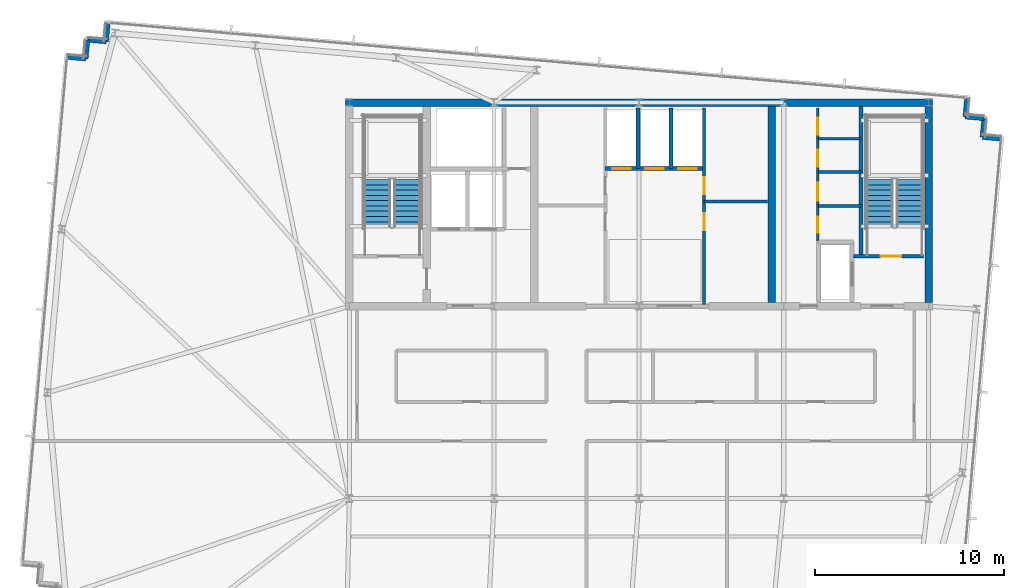
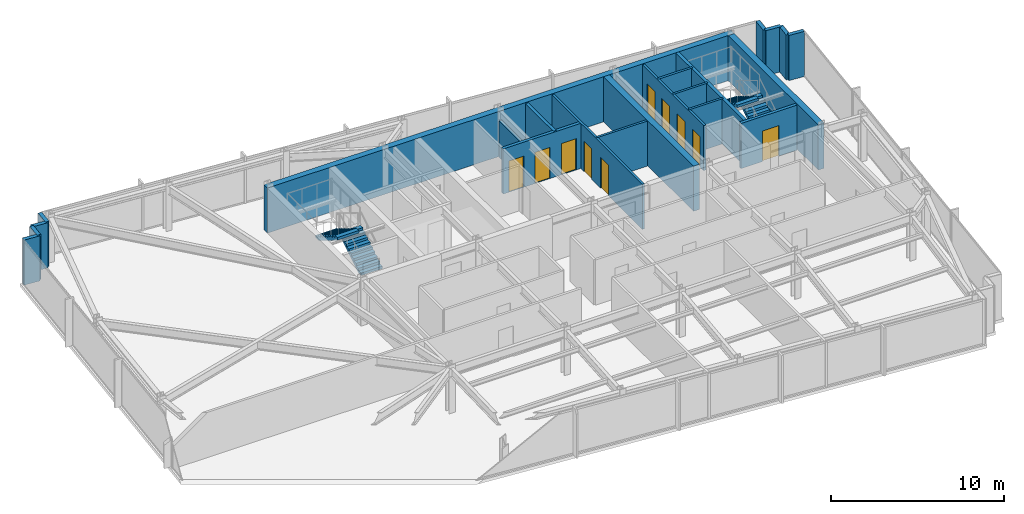
# One storey, part 28 of 32: 22 walls, 10 doors, 4 stair flights, 10 openings, 2 elements without a shape of their own.
"""IFC4 building model written with IfcOpenShell, lengths in metres."""

from ifc_helpers import new_model, si_unit, direction, frame, frame_2d, origin, place, context, subcontext, project, spatial, polyline, rectangle, outline, extrude, material, layer, layer_set, type_object, element, fill, aggregate, save


model = new_model("IFC4")

# Units and contexts
model_context = context("Model", 3, precision=1e-05, world=origin(), true_north=direction((0.0, 1.0)))
body_context = subcontext(model_context, "Body", "Model", "MODEL_VIEW")
ifc_project = project(units=[si_unit("LENGTHUNIT", "METRE"), si_unit("AREAUNIT", "SQUARE_METRE"), si_unit("VOLUMEUNIT", "CUBIC_METRE"), si_unit("PLANEANGLEUNIT", "RADIAN"), si_unit("MASSUNIT", "GRAM", prefix="KILO")], contexts=[model_context])

# Site, building, storey
site_placement = place(None, origin())
site = spatial("IfcSite", under=ifc_project, at=site_placement, CompositionType="ELEMENT")
building_placement = place(site_placement, origin())
building = spatial("IfcBuilding", under=site, at=building_placement, Name="Yelkora Congress Tower", CompositionType="ELEMENT")
storey_placement = place(building_placement, frame((0.0, 0.0, 265.89990234375)))
storey = spatial("IfcBuildingStorey", under=building, at=storey_placement, Name="L74", CompositionType="ELEMENT", Elevation=265.89990234375)

# Walls
ifc_material_1 = material(Name="Concrete C50/60", Category="concrete")
ifc_layer_1 = layer(ifc_material_1, 0.219970703125)
ifc_layer_set_1 = layer_set([ifc_layer_1], Name="Concrete C50/60")
wall_type_1 = type_object("IfcWallType", Name="WALL-CORE-INT-220", PredefinedType="SHEAR", material=ifc_layer_set_1)
wall_1_placement = place(storey_placement, frame((50.179931640625, 38.050048828125, 0.0), z_axis=(0.0, 0.0, 1.0), x_axis=(0.0, 1.0, 0.0)))
element("IfcWall", 1, at=wall_1_placement, inside=storey, type_object=wall_type_1, Name="L74 ST02 West Stair Shear Wall", PredefinedType="SHEAR", context=body_context, shape_type="SweptSolid", body=[
    extrude(rectangle(XDim=7.949951171875, YDim=0.219970703125, at=frame_2d((3.97509765625, 0.0))), origin(), (0.0, 0.0, 1.0), 3.18017578125),
])
ifc_layer_2 = layer(ifc_material_1, 0.39990234375)
ifc_layer_set_2 = layer_set([ifc_layer_2], Name="Concrete C50/60")
wall_type_2 = type_object("IfcWallType", Name="WALL-CORE-INT-400", PredefinedType="SHEAR", material=ifc_layer_set_2)
wall_2_placement = place(storey_placement, frame((22.840087890625, 46.199951171875, 0.0), z_axis=(0.0, 0.0, 1.0), x_axis=(1.0, 0.0, 0.0)))
element("IfcWall", 2, at=wall_2_placement, inside=storey, type_object=wall_type_2, Name="L74 Rear Core North Shear Wall", PredefinedType="SHEAR", context=body_context, shape_type="SweptSolid", body=[
    extrude(rectangle(XDim=31.119873046875, YDim=0.39990234375, at=frame_2d((15.56005859375, 0.0))), origin(), (0.0, 0.0, 1.0), 3.18017578125),
])
for number, where, z_axis, x_axis, name in (
    (3, (45.449951171875, 35.60009765625, 0.0), (0.0, 0.0, 1.0), (0.0, 1.0, 0.0), "L74 Rear Core Cross Shear Wall C3"),
    (4, (53.760009765625, 35.60009765625, 0.0), (0.0, 0.0, 1.0), (0.0, 1.0, 0.0), "L74 Rear Core Cross Shear Wall E"),
):
    element("IfcWall", number, at=place(storey_placement, frame(where, z_axis=z_axis, x_axis=x_axis)), inside=storey, type_object=wall_type_2, Name=name, PredefinedType="SHEAR", context=body_context, shape_type="SweptSolid", body=[
        extrude(rectangle(XDim=10.39990234375, YDim=0.39990234375, at=frame_2d((5.199951171875, 0.0))), origin(), (0.0, 0.0, 1.0), 3.18017578125),
    ])
ifc_material_2 = material(Name="Concrete C40/50", Category="concrete")
ifc_layer_3 = layer(ifc_material_2, 0.239990234375)
ifc_layer_set_3 = layer_set([ifc_layer_3], Name="Concrete C40/50")
wall_type_3 = type_object("IfcWallType", Name="WALL-EXT-LIMESTONE-240", PredefinedType="SOLIDWALL", material=ifc_layer_set_3)
for number, where, z_axis, x_axis, name in (
    (5, (8.0732421875, 48.609619140625, 0.0), (0.0, 0.0, 1.0), (0.996195572005, -0.087145753297, 0.0), "L74 Serrated Corner Limestone Pier 6"),
    (6, (9.069580078125, 48.5224609375, 0.0), (0.0, 0.0, 1.0), (0.087145753297, 0.996195572005, 0.0), "L74 Serrated Corner Limestone Pier 7"),
):
    element("IfcWall", number, at=place(storey_placement, frame(where, z_axis=z_axis, x_axis=x_axis)), inside=storey, type_object=wall_type_3, Name=name, PredefinedType="SOLIDWALL", context=body_context, shape_type="SweptSolid", body=[
        extrude(rectangle(XDim=1.000244140625, YDim=0.239990234375, at=frame_2d((0.5, 0.0))), origin(), (0.0, 0.0, 1.0), 3.18017578125),
    ])
for number, where, z_axis, x_axis, name in (
    (7, (9.15673828125, 49.518798828125, 0.0), (0.0, 0.0, 1.0), (0.996193717496, -0.087166950281, 0.0), "L74 Serrated Corner Limestone Pier 8"),
    (8, (10.15283203125, 49.431640625, 0.0), (0.0, 0.0, 1.0), (0.087166950281, 0.996193717496, 0.0), "L74 Serrated Corner Limestone Pier 9"),
    (9, (55.785888671875, 46.443115234375, 0.0), (0.0, 0.0, 1.0), (-0.086903493655, -0.996216734848, 0.0), "L74 Serrated Corner Limestone Pier 11"),
    (10, (55.698974609375, 45.44677734375, 0.0), (0.0, 0.0, 1.0), (0.996193717496, -0.087166950281, 0.0), "L74 Serrated Corner Limestone Pier 12"),
    (11, (56.695068359375, 45.359619140625, 0.0), (0.0, 0.0, 1.0), (-0.087166950281, -0.996193717496, 0.0), "L74 Serrated Corner Limestone Pier 13"),
    (12, (56.60791015625, 44.363525390625, 0.0), (0.0, 0.0, 1.0), (0.996193717496, -0.087166950281, 0.0), "L74 Serrated Corner Limestone Pier 14"),
):
    element("IfcWall", number, at=place(storey_placement, frame(where, z_axis=z_axis, x_axis=x_axis)), inside=storey, type_object=wall_type_3, Name=name, PredefinedType="SOLIDWALL", context=body_context, shape_type="SweptSolid", body=[
        extrude(rectangle(XDim=1.0, YDim=0.239990234375, at=frame_2d((0.5, 0.0))), origin(), (0.0, 0.0, 1.0), 3.18017578125),
    ])
ifc_material_3 = material(Name="Acoustic metal-stud gypsum partition", Category="gypsum")
ifc_layer_4 = layer(ifc_material_3, 0.14990234375)
ifc_layer_set_4 = layer_set([ifc_layer_4], Name="Acoustic metal-stud gypsum partition")
wall_type_4 = type_object("IfcWallType", Name="WALL-INT-150-NR", PredefinedType="PARTITIONING", material=ifc_layer_set_4)
for number, where, z_axis, x_axis, name in (
    (13, (47.8798828125, 40.719970703125, 0.0), (0.0, 0.0, 1.0), (1.0, 0.0, 0.0), "L74 Partition Wall 20"),
    (14, (47.8798828125, 42.52001953125, 0.0), (0.0, 0.0, 1.0), (1.0, 0.0, 0.0), "L74 Partition Wall 21"),
    (15, (47.8798828125, 44.280029296875, 0.0), (0.0, 0.0, 1.0), (1.0, 0.0, 0.0), "L74 Partition Wall 22"),
):
    element("IfcWall", number, at=place(storey_placement, frame(where, z_axis=z_axis, x_axis=x_axis)), inside=storey, type_object=wall_type_4, Name=name, PredefinedType="PARTITIONING", context=body_context, shape_type="SweptSolid", body=[
        extrude(rectangle(XDim=2.300048828125, YDim=0.14990234375, at=frame_2d((1.14990234375, 0.0))), origin(), (0.0, 0.0, 1.0), 3.18017578125),
    ])

# Wall, openings, doors
wall_3_placement = place(storey_placement, frame((47.8798828125, 38.85009765625, 0.0), z_axis=(0.0, 0.0, 1.0), x_axis=(0.0, 1.0, 0.0)))
wall_3 = element("IfcWall", 16, at=wall_3_placement, inside=storey, type_object=wall_type_4, Name="L74 Partition Wall 23", PredefinedType="PARTITIONING", context=body_context, shape_type="SweptSolid", body=[
    extrude(rectangle(XDim=7.06982421875, YDim=0.14990234375, at=frame_2d((3.534912109375, 0.0))), origin(), (0.0, 0.0, 1.0), 3.18017578125),
])
opening_1_placement = place(wall_3_placement, frame((0.449951171875, 0.0, 0.0)))
opening_1 = element("IfcOpeningElement", 17, at=opening_1_placement, cuts=wall_3, Name="Opening DR-085N", PredefinedType="OPENING", context=body_context, shape_type="SweptSolid", body=[
    extrude(rectangle(XDim=0.85009765625, YDim=2.14990234375, at=frame_2d((0.425048828125, 1.074951171875))), frame((0.0, 0.0849609375, 0.0), z_axis=(0.0, -1.0, 0.0), x_axis=(1.0, 0.0, 0.0)), (0.0, 0.0, 1.0), 0.169921875),
])
opening_2_placement = place(wall_3_placement, frame((2.14990234375, 0.0, 0.0)))
opening_2 = element("IfcOpeningElement", 18, at=opening_2_placement, cuts=wall_3, Name="Opening DR-095N", PredefinedType="OPENING", context=body_context, shape_type="SweptSolid", body=[
    extrude(rectangle(XDim=0.949951171875, YDim=2.14990234375, at=frame_2d((0.47509765625, 1.074951171875))), frame((0.0, 0.0849609375, 0.0), z_axis=(0.0, -1.0, 0.0), x_axis=(1.0, 0.0, 0.0)), (0.0, 0.0, 1.0), 0.169921875),
])
opening_3_placement = place(wall_3_placement, frame((3.949951171875, 0.0, 0.0)))
opening_3 = element("IfcOpeningElement", 19, at=opening_3_placement, cuts=wall_3, Name="Opening DR-090N", PredefinedType="OPENING", context=body_context, shape_type="SweptSolid", body=[
    extrude(rectangle(XDim=0.89990234375, YDim=2.14990234375, at=frame_2d((0.449951171875, 1.074951171875))), frame((0.0, 0.0849609375, 0.0), z_axis=(0.0, -1.0, 0.0), x_axis=(1.0, 0.0, 0.0)), (0.0, 0.0, 1.0), 0.169921875),
])
opening_4_placement = place(wall_3_placement, frame((5.64990234375, 0.0, 0.0)))
opening_4 = element("IfcOpeningElement", 20, at=opening_4_placement, cuts=wall_3, Name="Opening DR-090N", PredefinedType="OPENING", context=body_context, shape_type="SweptSolid", body=[
    extrude(rectangle(XDim=0.89990234375, YDim=2.14990234375, at=frame_2d((0.449951171875, 1.074951171875))), frame((0.0, 0.0849609375, 0.0), z_axis=(0.0, -1.0, 0.0), x_axis=(1.0, 0.0, 0.0)), (0.0, 0.0, 1.0), 0.169921875),
])
ifc_material_4 = material(Name="Laminate service store door leaf", Category="wood")
door_type_1 = type_object("IfcDoorType", Name="DOOR-INT-850", OperationType="NOTDEFINED", PredefinedType="DOOR", material=ifc_material_4)
door_1_placement = place(opening_1_placement, origin())
door_1 = element("IfcDoor", 21, at=door_1_placement, inside=storey, type_object=door_type_1, Name="L74 Janitor Room Door", OperationType="SINGLE_SWING_LEFT", OverallHeight=2.14990234375, OverallWidth=0.85009765625, PredefinedType="DOOR", context=body_context, shape_type="SweptSolid", body=[
    extrude(rectangle(XDim=0.85009765625, YDim=2.14990234375, at=frame_2d((0.425048828125, 1.074951171875))), frame((0.0, 0.02490234375, 0.0), z_axis=(0.0, -1.0, 0.0), x_axis=(1.0, 0.0, 0.0)), (0.0, 0.0, 1.0), 0.050048828125),
])
fill(opening_1, door_1)
ifc_material_5 = material(Name="Moisture-resistant laminate door leaf", Category="wood")
door_type_2 = type_object("IfcDoorType", Name="DOOR-INT-900", OperationType="NOTDEFINED", PredefinedType="DOOR", material=ifc_material_5)
door_2_placement = place(opening_3_placement, origin())
door_2 = element("IfcDoor", 22, at=door_2_placement, inside=storey, type_object=door_type_2, Name="L74 Male WC Door", OperationType="SINGLE_SWING_LEFT", OverallHeight=2.14990234375, OverallWidth=0.89990234375, PredefinedType="DOOR", context=body_context, shape_type="SweptSolid", body=[
    extrude(rectangle(XDim=0.89990234375, YDim=2.14990234375, at=frame_2d((0.449951171875, 1.074951171875))), frame((0.0, 0.02490234375, 0.0), z_axis=(0.0, -1.0, 0.0), x_axis=(1.0, 0.0, 0.0)), (0.0, 0.0, 1.0), 0.050048828125),
])
fill(opening_3, door_2)
door_3_placement = place(opening_4_placement, origin())
door_3 = element("IfcDoor", 23, at=door_3_placement, inside=storey, type_object=door_type_2, Name="L74 Female WC Door", OperationType="SINGLE_SWING_RIGHT", OverallHeight=2.14990234375, OverallWidth=0.89990234375, PredefinedType="DOOR", context=body_context, shape_type="SweptSolid", body=[
    extrude(rectangle(XDim=0.89990234375, YDim=2.14990234375, at=frame_2d((0.449951171875, 1.074951171875))), frame((0.0, 0.02490234375, 0.0), z_axis=(0.0, -1.0, 0.0), x_axis=(1.0, 0.0, 0.0)), (0.0, 0.0, 1.0), 0.050048828125),
])
fill(opening_4, door_3)
ifc_material_6 = material(Name="Acoustic laminated timber office door", Category="wood")
door_type_3 = type_object("IfcDoorType", Name="DOOR-INT-950", OperationType="NOTDEFINED", PredefinedType="DOOR", material=ifc_material_6)
door_4_placement = place(opening_2_placement, origin())
door_4 = element("IfcDoor", 24, at=door_4_placement, inside=storey, type_object=door_type_3, Name="L74 Accessible WC Door", OperationType="SINGLE_SWING_RIGHT", OverallHeight=2.14990234375, OverallWidth=0.949951171875, PredefinedType="DOOR", context=body_context, shape_type="SweptSolid", body=[
    extrude(rectangle(XDim=0.949951171875, YDim=2.14990234375, at=frame_2d((0.47509765625, 1.074951171875))), frame((0.0, 0.02490234375, 0.0), z_axis=(0.0, -1.0, 0.0), x_axis=(1.0, 0.0, 0.0)), (0.0, 0.0, 1.0), 0.050048828125),
])
fill(opening_2, door_4)

# Wall
ifc_material_7 = material(Name="Twin-stud fire-rated gypsum partition", Category="gypsum")
ifc_layer_5 = layer(ifc_material_7, 0.14990234375)
ifc_layer_set_5 = layer_set([ifc_layer_5], Name="Twin-stud fire-rated gypsum partition")
wall_type_5 = type_object("IfcWallType", Name="WALL-INT-150-R60", PredefinedType="PARTITIONING", material=ifc_layer_set_5)
wall_4_placement = place(storey_placement, frame((41.85009765625, 40.949951171875, 0.0), z_axis=(0.0, 0.0, 1.0), x_axis=(1.0, 0.0, 0.0)))
element("IfcWall", 25, at=wall_4_placement, inside=storey, type_object=wall_type_5, Name="L74 Partition Wall 13", PredefinedType="PARTITIONING", context=body_context, shape_type="SweptSolid", body=[
    extrude(rectangle(XDim=3.369873046875, YDim=0.14990234375, at=frame_2d((1.68505859375, 0.0))), origin(), (0.0, 0.0, 1.0), 3.18017578125),
])

# Wall, openings, doors
wall_5_placement = place(storey_placement, frame((41.85009765625, 35.5, 0.0), z_axis=(0.0, 0.0, 1.0), x_axis=(0.0, 1.0, 0.0)))
wall_5 = element("IfcWall", 26, at=wall_5_placement, inside=storey, type_object=wall_type_5, Name="L74 Partition Wall 14", PredefinedType="PARTITIONING", context=body_context, shape_type="SweptSolid", body=[
    extrude(rectangle(XDim=10.419921875, YDim=0.14990234375, at=frame_2d((5.2099609375, 0.0))), origin(), (0.0, 0.0, 1.0), 3.18017578125),
])
opening_5_placement = place(wall_5_placement, frame((3.919921875, 0.0, 0.0)))
opening_5 = element("IfcOpeningElement", 27, at=opening_5_placement, cuts=wall_5, Name="Opening DR-090F6", PredefinedType="OPENING", context=body_context, shape_type="SweptSolid", body=[
    extrude(rectangle(XDim=0.89990234375, YDim=2.14990234375, at=frame_2d((0.449951171875, 1.074951171875))), frame((0.0, 0.0849609375, 0.0), z_axis=(0.0, -1.0, 0.0), x_axis=(1.0, 0.0, 0.0)), (0.0, 0.0, 1.0), 0.169921875),
])
opening_6_placement = place(wall_5_placement, frame((5.85009765625, 0.0, 0.0)))
opening_6 = element("IfcOpeningElement", 28, at=opening_6_placement, cuts=wall_5, Name="Opening DR-090F6", PredefinedType="OPENING", context=body_context, shape_type="SweptSolid", body=[
    extrude(rectangle(XDim=0.89990234375, YDim=2.14990234375, at=frame_2d((0.449951171875, 1.074951171875))), frame((0.0, 0.0849609375, 0.0), z_axis=(0.0, -1.0, 0.0), x_axis=(1.0, 0.0, 0.0)), (0.0, 0.0, 1.0), 0.169921875),
])
ifc_material_8 = material(Name="Painted steel riser fire door leaf", Category="steel")
door_type_4 = type_object("IfcDoorType", Name="DOOR-FD60-900", OperationType="NOTDEFINED", PredefinedType="DOOR", material=ifc_material_8)
door_5_placement = place(opening_5_placement, origin())
door_5 = element("IfcDoor", 29, at=door_5_placement, inside=storey, type_object=door_type_4, Name="L74 High-Zone BMS Door", OperationType="SINGLE_SWING_RIGHT", OverallHeight=2.14990234375, OverallWidth=0.89990234375, PredefinedType="DOOR", context=body_context, shape_type="SweptSolid", body=[
    extrude(rectangle(XDim=0.89990234375, YDim=2.14990234375, at=frame_2d((0.449951171875, 1.074951171875))), frame((0.0, 0.02490234375, 0.0), z_axis=(0.0, -1.0, 0.0), x_axis=(1.0, 0.0, 0.0)), (0.0, 0.0, 1.0), 0.050048828125),
])
fill(opening_5, door_5)
door_6_placement = place(opening_6_placement, origin())
door_6 = element("IfcDoor", 30, at=door_6_placement, inside=storey, type_object=door_type_4, Name="L74 Linen Store Door", OperationType="SINGLE_SWING_LEFT", OverallHeight=2.14990234375, OverallWidth=0.89990234375, PredefinedType="DOOR", context=body_context, shape_type="SweptSolid", body=[
    extrude(rectangle(XDim=0.89990234375, YDim=2.14990234375, at=frame_2d((0.449951171875, 1.074951171875))), frame((0.0, 0.02490234375, 0.0), z_axis=(0.0, -1.0, 0.0), x_axis=(1.0, 0.0, 0.0)), (0.0, 0.0, 1.0), 0.050048828125),
])
fill(opening_6, door_6)

ifc_material_9 = material(Name="Autoclaved aerated concrete blockwork", Category="masonry")
ifc_layer_6 = layer(ifc_material_9, 0.199951171875)
ifc_layer_set_6 = layer_set([ifc_layer_6], Name="Autoclaved aerated concrete blockwork")
wall_type_6 = type_object("IfcWallType", Name="WALL-INT-200-R120", PredefinedType="PARTITIONING", material=ifc_layer_set_6)
wall_6_placement = place(storey_placement, frame((36.60009765625, 42.699951171875, 0.0), z_axis=(0.0, 0.0, 1.0), x_axis=(1.0, 0.0, 0.0)))
wall_6 = element("IfcWall", 31, at=wall_6_placement, inside=storey, type_object=wall_type_6, Name="L74 Partition Wall 8", PredefinedType="PARTITIONING", context=body_context, shape_type="SweptSolid", body=[
    extrude(rectangle(XDim=5.25, YDim=0.199951171875, at=frame_2d((2.625, 0.0))), origin(), (0.0, 0.0, 1.0), 3.18017578125),
])
opening_7_placement = place(wall_6_placement, frame((0.375, 0.0, 0.0)))
opening_7 = element("IfcOpeningElement", 32, at=opening_7_placement, cuts=wall_6, Name="Opening LD-PS10", PredefinedType="OPENING", context=body_context, shape_type="SweptSolid", body=[
    extrude(rectangle(XDim=1.0, YDim=2.199951171875, at=frame_2d((0.5, 1.10009765625))), frame((0.0, 0.10986328125, 0.0), z_axis=(0.0, -1.0, 0.0), x_axis=(1.0, 0.0, 0.0)), (0.0, 0.0, 1.0), 0.219970703125),
])
opening_8_placement = place(wall_6_placement, frame((2.125, 0.0, 0.0)))
opening_8 = element("IfcOpeningElement", 33, at=opening_8_placement, cuts=wall_6, Name="Opening LD-PS10", PredefinedType="OPENING", context=body_context, shape_type="SweptSolid", body=[
    extrude(rectangle(XDim=1.0, YDim=2.199951171875, at=frame_2d((0.5, 1.10009765625))), frame((0.0, 0.10986328125, 0.0), z_axis=(0.0, -1.0, 0.0), x_axis=(1.0, 0.0, 0.0)), (0.0, 0.0, 1.0), 0.219970703125),
])
opening_9_placement = place(wall_6_placement, frame((3.875, 0.0, 0.0)))
opening_9 = element("IfcOpeningElement", 34, at=opening_9_placement, cuts=wall_6, Name="Opening LD-PS10", PredefinedType="OPENING", context=body_context, shape_type="SweptSolid", body=[
    extrude(rectangle(XDim=1.0, YDim=2.199951171875, at=frame_2d((0.5, 1.10009765625))), frame((0.0, 0.10986328125, 0.0), z_axis=(0.0, -1.0, 0.0), x_axis=(1.0, 0.0, 0.0)), (0.0, 0.0, 1.0), 0.219970703125),
])
ifc_material_10 = material(Name="Champagne stainless steel landing door", Category="steel")
door_type_5 = type_object("IfcDoorType", Name="DOOR-LIFT-PAS-1000", OperationType="DOUBLE_DOOR_SLIDING", PredefinedType="DOOR", material=ifc_material_10)
door_7_placement = place(opening_7_placement, origin())
door_7 = element("IfcDoor", 35, at=door_7_placement, inside=storey, type_object=door_type_5, Name="Lift Landing Door LF-P9 L74", OperationType="DOUBLE_DOOR_SLIDING", OverallHeight=2.199951171875, OverallWidth=1.0, PredefinedType="DOOR", context=body_context, shape_type="SweptSolid", body=[
    extrude(rectangle(XDim=1.0, YDim=2.199951171875, at=frame_2d((0.5, 1.10009765625))), frame((0.0, 0.02490234375, 0.0), z_axis=(0.0, -1.0, 0.0), x_axis=(1.0, 0.0, 0.0)), (0.0, 0.0, 1.0), 0.050048828125),
])
fill(opening_7, door_7)
door_8_placement = place(opening_8_placement, origin())
door_8 = element("IfcDoor", 36, at=door_8_placement, inside=storey, type_object=door_type_5, Name="Lift Landing Door LF-P10 L74", OperationType="DOUBLE_DOOR_SLIDING", OverallHeight=2.199951171875, OverallWidth=1.0, PredefinedType="DOOR", context=body_context, shape_type="SweptSolid", body=[
    extrude(rectangle(XDim=1.0, YDim=2.199951171875, at=frame_2d((0.5, 1.10009765625))), frame((0.0, 0.02490234375, 0.0), z_axis=(0.0, -1.0, 0.0), x_axis=(1.0, 0.0, 0.0)), (0.0, 0.0, 1.0), 0.050048828125),
])
fill(opening_8, door_8)
door_9_placement = place(opening_9_placement, origin())
door_9 = element("IfcDoor", 37, at=door_9_placement, inside=storey, type_object=door_type_5, Name="Lift Landing Door LF-P11 L74", OperationType="DOUBLE_DOOR_SLIDING", OverallHeight=2.199951171875, OverallWidth=1.0, PredefinedType="DOOR", context=body_context, shape_type="SweptSolid", body=[
    extrude(rectangle(XDim=1.0, YDim=2.199951171875, at=frame_2d((0.5, 1.10009765625))), frame((0.0, 0.02490234375, 0.0), z_axis=(0.0, -1.0, 0.0), x_axis=(1.0, 0.0, 0.0)), (0.0, 0.0, 1.0), 0.050048828125),
])
fill(opening_9, door_9)

# Walls
wall_7_placement = place(storey_placement, frame((38.35009765625, 42.699951171875, 0.0), z_axis=(0.0, 0.0, 1.0), x_axis=(0.0, 1.0, 0.0)))
element("IfcWall", 38, at=wall_7_placement, inside=storey, type_object=wall_type_6, Name="L74 Partition Wall 9", PredefinedType="PARTITIONING", context=body_context, shape_type="SweptSolid", body=[
    extrude(rectangle(XDim=3.219970703125, YDim=0.199951171875, at=frame_2d((1.60986328125, 0.0))), origin(), (0.0, 0.0, 1.0), 2.5751953125),
])
wall_8_placement = place(storey_placement, frame((40.10009765625, 42.699951171875, 0.0), z_axis=(0.0, 0.0, 1.0), x_axis=(0.0, 1.0, 0.0)))
element("IfcWall", 39, at=wall_8_placement, inside=storey, type_object=wall_type_6, Name="L74 Partition Wall 10", PredefinedType="PARTITIONING", context=body_context, shape_type="SweptSolid", body=[
    extrude(rectangle(XDim=3.219970703125, YDim=0.199951171875, at=frame_2d((1.60986328125, 0.0))), origin(), (0.0, 0.0, 1.0), 3.18017578125),
])

# Wall, opening, door
wall_9_placement = place(storey_placement, frame((49.780029296875, 38.050048828125, 0.0), z_axis=(0.0, 0.0, 1.0), x_axis=(1.0, 0.0, 0.0)))
wall_9 = element("IfcWall", 40, at=wall_9_placement, inside=storey, type_object=wall_type_6, Name="L74 Stair ST-02 Enclosure Wall", PredefinedType="PARTITIONING", context=body_context, shape_type="SweptSolid", body=[
    extrude(rectangle(XDim=3.719970703125, YDim=0.199951171875, at=frame_2d((1.85986328125, 0.0))), origin(), (0.0, 0.0, 1.0), 3.18017578125),
])
opening_10_placement = place(wall_9_placement, frame((1.436279296875, 0.0, 0.0)))
opening_10 = element("IfcOpeningElement", 41, at=opening_10_placement, cuts=wall_9, Name="Opening DR-110F9", PredefinedType="OPENING", context=body_context, shape_type="SweptSolid", body=[
    extrude(rectangle(XDim=1.10009765625, YDim=2.14990234375, at=frame_2d((0.550048828125, 1.074951171875))), frame((0.0, 0.10986328125, 0.0), z_axis=(0.0, -1.0, 0.0), x_axis=(1.0, 0.0, 0.0)), (0.0, 0.0, 1.0), 0.219970703125),
])
ifc_material_11 = material(Name="Galvanised steel fire door leaf", Category="steel")
door_type_6 = type_object("IfcDoorType", Name="DOOR-FD90-1100", OperationType="NOTDEFINED", PredefinedType="DOOR", material=ifc_material_11)
door_10_placement = place(opening_10_placement, origin())
door_10 = element("IfcDoor", 42, at=door_10_placement, inside=storey, type_object=door_type_6, Name="L74 Stair ST-02 Entry Door", OperationType="SINGLE_SWING_RIGHT", OverallHeight=2.14990234375, OverallWidth=1.10009765625, PredefinedType="DOOR", context=body_context, shape_type="SweptSolid", body=[
    extrude(rectangle(XDim=1.10009765625, YDim=2.14990234375, at=frame_2d((0.550048828125, 1.074951171875))), frame((0.0, 0.02490234375, 0.0), z_axis=(0.0, -1.0, 0.0), x_axis=(1.0, 0.0, 0.0)), (0.0, 0.0, 1.0), 0.050048828125),
])
fill(opening_10, door_10)

# Stair, stair flights
stair_type = type_object("IfcStairType", Name="STAIR-HT-1420-R20-170", PredefinedType="HALF_TURN_STAIR", material=ifc_material_2)
stair_1_placement = place(storey_placement, origin())
stair_1 = element("IfcStair", 43, at=stair_1_placement, inside=storey, type_object=stair_type, Name="West Core Protected Exit Stair ST-01 (L74)", PredefinedType="HALF_TURN_STAIR")
stair_flight_type = type_object("IfcStairFlightType", Name="FLIGHT-1420-N10-R170-G280", PredefinedType="STRAIGHT", material=ifc_material_2)
stair_flight_1_placement = place(storey_placement, frame((26.110107421875, 39.60009765625, 0.0), z_axis=(0.0, 0.0, 1.0), x_axis=(0.0, 1.0, 0.0)))
stair_flight_1 = element("IfcStairFlight", 44, at=stair_flight_1_placement, type_object=stair_flight_type, Name="ST-01 L74 Flight 1", NumberOfRisers=10, NumberOfTreads=9, PredefinedType="STRAIGHT", RiserHeight=0.17, TreadLength=0.28, context=body_context, shape_type="SweptSolid", body=[
    extrude(outline(polyline([(0.0, 0.0), (0.0, 0.169921875), (0.280029296875, 0.169921875), (0.280029296875, 0.340087890625), (0.56005859375, 0.340087890625), (0.56005859375, 0.510009765625), (0.840087890625, 0.510009765625), (0.840087890625, 0.679931640625), (1.1201171875, 0.679931640625), (1.1201171875, 0.85009765625), (1.39990234375, 0.85009765625), (1.39990234375, 1.02001953125), (1.679931640625, 1.02001953125), (1.679931640625, 1.18994140625), (1.9599609375, 1.18994140625), (1.9599609375, 1.360107421875), (2.239990234375, 1.360107421875), (2.239990234375, 1.530029296875), (2.52001953125, 1.530029296875), (2.52001953125, 1.699951171875), (2.52001953125, 1.343017578125), (0.30810546875, 0.0), (0.0, 0.0)])), frame((0.0, 0.7099609375, 0.0), z_axis=(0.0, -1.0, 0.0), x_axis=(1.0, 0.0, 0.0)), (0.0, 0.0, 1.0), 1.419921875),
])
stair_flight_2_placement = place(storey_placement, frame((24.530029296875, 42.1201171875, 1.7001953125), z_axis=(0.0, 0.0, 1.0), x_axis=(0.0, -1.0, 0.0)))
stair_flight_2 = element("IfcStairFlight", 45, at=stair_flight_2_placement, type_object=stair_flight_type, Name="ST-01 L74 Flight 2", NumberOfRisers=10, NumberOfTreads=9, PredefinedType="STRAIGHT", RiserHeight=0.17, TreadLength=0.28, context=body_context, shape_type="SweptSolid", body=[
    extrude(outline(polyline([(0.0, 0.0), (0.0, 0.169921875), (0.280029296875, 0.169921875), (0.280029296875, 0.340087890625), (0.56005859375, 0.340087890625), (0.56005859375, 0.510009765625), (0.840087890625, 0.510009765625), (0.840087890625, 0.679931640625), (1.1201171875, 0.679931640625), (1.1201171875, 0.85009765625), (1.39990234375, 0.85009765625), (1.39990234375, 1.02001953125), (1.679931640625, 1.02001953125), (1.679931640625, 1.18994140625), (1.9599609375, 1.18994140625), (1.9599609375, 1.360107421875), (2.239990234375, 1.360107421875), (2.239990234375, 1.530029296875), (2.52001953125, 1.530029296875), (2.52001953125, 1.699951171875), (2.52001953125, 1.343017578125), (0.30810546875, 0.0), (0.0, 0.0)])), frame((0.0, 0.7099609375, 0.0), z_axis=(0.0, -1.0, 0.0), x_axis=(1.0, 0.0, 0.0)), (0.0, 0.0, 1.0), 1.419921875),
])
aggregate(stair_1, [stair_flight_1, stair_flight_2])

stair_2_placement = place(storey_placement, origin())
stair_2 = element("IfcStair", 46, at=stair_2_placement, inside=storey, type_object=stair_type, Name="East Core Protected Exit Stair ST-02 (L74)", PredefinedType="HALF_TURN_STAIR")
stair_flight_3_placement = place(storey_placement, frame((52.75, 39.60009765625, 0.0), z_axis=(0.0, 0.0, 1.0), x_axis=(0.0, 1.0, 0.0)))
stair_flight_3 = element("IfcStairFlight", 47, at=stair_flight_3_placement, type_object=stair_flight_type, Name="ST-02 L74 Flight 1", NumberOfRisers=10, NumberOfTreads=9, PredefinedType="STRAIGHT", RiserHeight=0.17, TreadLength=0.28, context=body_context, shape_type="SweptSolid", body=[
    extrude(outline(polyline([(0.0, 0.0), (0.0, 0.169921875), (0.280029296875, 0.169921875), (0.280029296875, 0.340087890625), (0.56005859375, 0.340087890625), (0.56005859375, 0.510009765625), (0.840087890625, 0.510009765625), (0.840087890625, 0.679931640625), (1.1201171875, 0.679931640625), (1.1201171875, 0.85009765625), (1.39990234375, 0.85009765625), (1.39990234375, 1.02001953125), (1.679931640625, 1.02001953125), (1.679931640625, 1.18994140625), (1.9599609375, 1.18994140625), (1.9599609375, 1.360107421875), (2.239990234375, 1.360107421875), (2.239990234375, 1.530029296875), (2.52001953125, 1.530029296875), (2.52001953125, 1.699951171875), (2.52001953125, 1.343017578125), (0.30810546875, 0.0), (0.0, 0.0)])), frame((0.0, 0.7099609375, 0.0), z_axis=(0.0, -1.0, 0.0), x_axis=(1.0, 0.0, 0.0)), (0.0, 0.0, 1.0), 1.419921875),
])
stair_flight_4_placement = place(storey_placement, frame((51.169921875, 42.1201171875, 1.7001953125), z_axis=(0.0, 0.0, 1.0), x_axis=(0.0, -1.0, 0.0)))
stair_flight_4 = element("IfcStairFlight", 48, at=stair_flight_4_placement, type_object=stair_flight_type, Name="ST-02 L74 Flight 2", NumberOfRisers=10, NumberOfTreads=9, PredefinedType="STRAIGHT", RiserHeight=0.17, TreadLength=0.28, context=body_context, shape_type="SweptSolid", body=[
    extrude(outline(polyline([(0.0, 0.0), (0.0, 0.169921875), (0.280029296875, 0.169921875), (0.280029296875, 0.340087890625), (0.56005859375, 0.340087890625), (0.56005859375, 0.510009765625), (0.840087890625, 0.510009765625), (0.840087890625, 0.679931640625), (1.1201171875, 0.679931640625), (1.1201171875, 0.85009765625), (1.39990234375, 0.85009765625), (1.39990234375, 1.02001953125), (1.679931640625, 1.02001953125), (1.679931640625, 1.18994140625), (1.9599609375, 1.18994140625), (1.9599609375, 1.360107421875), (2.239990234375, 1.360107421875), (2.239990234375, 1.530029296875), (2.52001953125, 1.530029296875), (2.52001953125, 1.699951171875), (2.52001953125, 1.343017578125), (0.30810546875, 0.0), (0.0, 0.0)])), frame((0.0, 0.7099609375, 0.0), z_axis=(0.0, -1.0, 0.0), x_axis=(1.0, 0.0, 0.0)), (0.0, 0.0, 1.0), 1.419921875),
])
aggregate(stair_2, [stair_flight_3, stair_flight_4])

save(model, "model.ifc")
